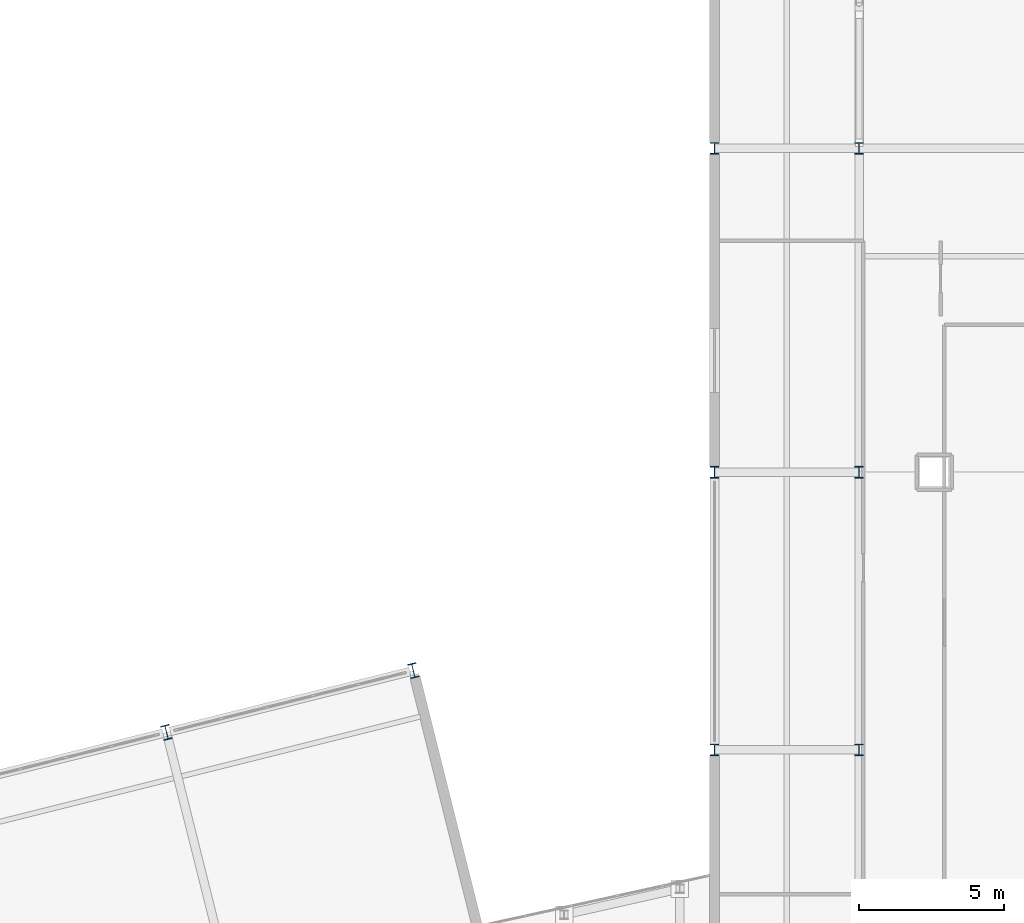
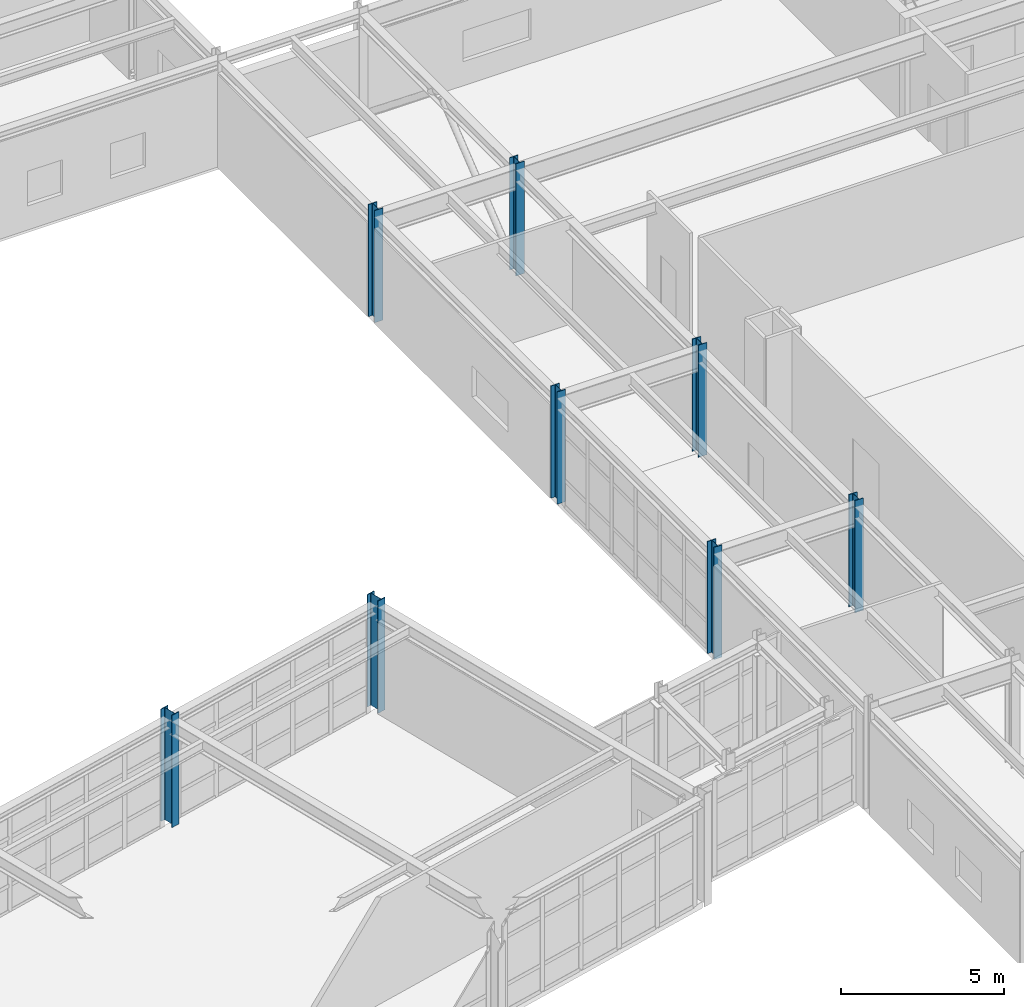
# One storey, part 8 of 88: 8 columns.
"""IFC4 building model written with IfcOpenShell, lengths in metres."""

import ifcopenshell
import ifcopenshell.guid

model = None  # the IFC model being written
_history = None  # IfcOwnerHistory: only IFC2X3 demands one
_inside = {}  # id of a spatial element -> (the spatial element, [elements in it])
_under = {}  # id of a project, library or spatial element -> (it, [spatial elements below it])
_declared = {}  # id of a project -> (the project, [libraries it declares])
_typed = {}  # id of a type object -> (the type object, [elements of that type])
_made_of = {}  # id of a material, layer set ... -> (it, [elements and type objects made of it])


def new_model(schema):
    """Start an empty IFC model of exactly this schema.

    Asked for "IFC4X3", IfcOpenShell would pick the latest addendum, in which some entities
    have other attributes; the version numbers below select the first issue.
    IFC2X3 requires an IfcOwnerHistory on every rooted entity: one is made here for all.
    """
    global model, _history
    if schema == "IFC4X3":
        model = ifcopenshell.file(schema_version=(4, 3, 0, 0))
    else:
        model = ifcopenshell.file(schema=schema)
    _inside.clear()
    _under.clear()
    _declared.clear()
    _typed.clear()
    _made_of.clear()
    _history = None
    if model.schema == "IFC2X3":
        org = make("IfcOrganization", Name="unknown")
        user = make(
            "IfcPersonAndOrganization",
            ThePerson=make("IfcPerson", FamilyName="unknown"),
            TheOrganization=org,
        )
        app = make(
            "IfcApplication",
            ApplicationDeveloper=org,
            Version="unknown",
            ApplicationFullName="unknown",
            ApplicationIdentifier="unknown",
        )
        _history = make(
            "IfcOwnerHistory",
            OwningUser=user,
            OwningApplication=app,
            ChangeAction="ADDED",
            CreationDate=0,
        )
    return model


def make(cls, **values):
    """One entity of the class cls with the attributes given. An attribute that is None is left unset."""
    return model.create_entity(
        cls, **{name: value for name, value in values.items() if value is not None}
    )


def rooted(cls, **values):
    """An entity with a GlobalId (a new one), such as an element, a storey or a relation."""
    return make(cls, GlobalId=ifcopenshell.guid.new(), OwnerHistory=_history, **values)


def si_unit(unit_type, name, prefix=None):
    """IfcSIUnit, for example si_unit("LENGTHUNIT", "METRE", prefix="MILLI")."""
    return make("IfcSIUnit", UnitType=unit_type, Prefix=prefix, Name=name)


def assignment(units):
    """IfcUnitAssignment: the units of a project."""
    return None if units is None else make("IfcUnitAssignment", Units=units)


def point(xyz):
    """IfcCartesianPoint."""
    return None if xyz is None else make("IfcCartesianPoint", Coordinates=xyz)


def direction(xyz):
    """IfcDirection."""
    return None if xyz is None else make("IfcDirection", DirectionRatios=xyz)


def frame(location, z_axis=None, x_axis=None):
    """IfcAxis2Placement3D, a coordinate frame: its origin and axes. An axis left out is left unset."""
    return make(
        "IfcAxis2Placement3D",
        Location=point(location),
        Axis=direction(z_axis),
        RefDirection=direction(x_axis),
    )


def frame_2d(location, x_axis=None):
    """IfcAxis2Placement2D, a coordinate frame in the plane: its origin and x axis."""
    return make(
        "IfcAxis2Placement2D", Location=point(location), RefDirection=direction(x_axis)
    )


def origin():
    """The frame at (0, 0, 0) with its axes left unset."""
    return frame((0.0, 0.0, 0.0))


def origin_2d():
    """The frame at (0, 0) in the plane with its x axis left unset."""
    return frame_2d((0.0, 0.0))


def place(relative_to, where):
    """IfcLocalPlacement: puts the frame where relative to a parent placement (None: the world)."""
    return make(
        "IfcLocalPlacement", PlacementRelTo=relative_to, RelativePlacement=where
    )


def context(
    kind, dimensions, precision=None, world=None, true_north=None, identifier=None
):
    """IfcGeometricRepresentationContext, for example the 3D "Model" context."""
    return make(
        "IfcGeometricRepresentationContext",
        ContextIdentifier=identifier,
        ContextType=kind,
        CoordinateSpaceDimension=dimensions,
        Precision=precision,
        WorldCoordinateSystem=world,
        TrueNorth=true_north,
    )


def subcontext(parent, identifier, kind, view, scale=None):
    """IfcGeometricRepresentationSubContext, for example "Body" below "Model"."""
    return make(
        "IfcGeometricRepresentationSubContext",
        ContextIdentifier=identifier,
        ContextType=kind,
        ParentContext=parent,
        TargetScale=scale,
        TargetView=view,
    )


def project(units=None, contexts=None):
    """IfcProject with its units and contexts."""
    return rooted(
        "IfcProject",
        Name="project",
        RepresentationContexts=contexts,
        UnitsInContext=assignment(units),
    )


def spatial(cls, under=None, at=None, **own):
    """A site, building, storey or space (cls), placed at a placement, below another one or the project."""
    s = rooted(cls, ObjectPlacement=at, **own)
    if under is not None:
        _under.setdefault(under.id(), (under, []))[1].append(s)
    return s


def profile(cls, at=None, kind="AREA", **sizes):
    """A parametric profile (cls). Its sizes go by their IFC names, for example OverallWidth=200.0."""
    return make(cls, ProfileType=kind, Position=at, **sizes)


def i_section(**sizes):
    """IfcIShapeProfileDef."""
    return profile("IfcIShapeProfileDef", **sizes)


def extrude(swept, where, along, depth):
    """IfcExtrudedAreaSolid: the profile swept, set in the frame where, extruded along a direction by depth."""
    return make(
        "IfcExtrudedAreaSolid",
        SweptArea=swept,
        Position=where,
        ExtrudedDirection=direction(along),
        Depth=depth,
    )


def shape(context_of_items, identifier, shape_type, items):
    """IfcShapeRepresentation: the items that make up one representation, for example the "Body"."""
    return make(
        "IfcShapeRepresentation",
        ContextOfItems=context_of_items,
        RepresentationIdentifier=identifier,
        RepresentationType=shape_type,
        Items=items,
    )


def material(Name=None, Category=None):
    """IfcMaterial."""
    return make("IfcMaterial", Name=Name, Category=Category)


def material_profile(
    of_material, cross_section, Name=None, Category=None, Priority=None
):
    """IfcMaterialProfile: a cross section and its material."""
    return make(
        "IfcMaterialProfile",
        Name=Name,
        Material=of_material,
        Profile=cross_section,
        Priority=Priority,
        Category=Category,
    )


def profile_set(profiles, Name=None, composite=None):
    """IfcMaterialProfileSet."""
    return make(
        "IfcMaterialProfileSet",
        Name=Name,
        MaterialProfiles=profiles,
        CompositeProfile=composite,
    )


def made_of(thing, what):
    """Note that an element or type object is made of a material, layer set ...; save() writes the relation."""
    if what is not None:
        _made_of.setdefault(what.id(), (what, []))[1].append(thing)
    return thing


def type_object(cls, material=None, **own):
    """A type object (cls), such as IfcWallType, which elements share."""
    return made_of(rooted(cls, **own), material)


def element(
    cls,
    number,
    at=None,
    inside=None,
    cuts=None,
    type_object=None,
    material=None,
    context=None,
    identifier="Body",
    shape_type=None,
    held_by="IfcProductDefinitionShape",
    body=None,
    shapes=None,
    **own,
):
    """One element of the class cls, such as IfcWall. Its Tag is "e" and its number.

    at: its placement. inside: the storey or other place that contains it. cuts: it is an
    opening in that element (IfcRelVoidsElement). A single representation is given by context,
    identifier, shape_type and body (its items); several are given by shapes. held_by: the class
    of the entity that holds the representations. save() writes the other relations.
    """
    e = rooted(cls, Tag="e%d" % number, ObjectPlacement=at, **own)
    if body is not None:
        shapes = [shape(context, identifier, shape_type, body)]
    if shapes is not None:
        e.Representation = make(held_by, Representations=shapes)
    if inside is not None:
        _inside.setdefault(inside.id(), (inside, []))[1].append(e)
    if cuts is not None:
        rooted(
            "IfcRelVoidsElement", RelatingBuildingElement=cuts, RelatedOpeningElement=e
        )
    if type_object is not None:
        _typed.setdefault(type_object.id(), (type_object, []))[1].append(e)
    return made_of(e, material)


def aggregate(whole, parts):
    """IfcRelAggregates: a whole, such as a stair, and the parts it consists of."""
    return rooted("IfcRelAggregates", RelatingObject=whole, RelatedObjects=parts)


def save(model, path):
    """Write the relations noted so far, then the file.

    IfcRelAggregates (storeys below a building ...), IfcRelContainedInSpatialStructure (elements
    in a storey), IfcRelDefinesByType, IfcRelAssociatesMaterial and IfcRelDeclares: one each for
    every whole, place, type object, material and project.
    """
    for whole, parts in _under.values():
        aggregate(whole, parts)
    for where, things in _inside.values():
        rooted(
            "IfcRelContainedInSpatialStructure",
            RelatedElements=things,
            RelatingStructure=where,
        )
    for kind, things in _typed.values():
        rooted("IfcRelDefinesByType", RelatedObjects=things, RelatingType=kind)
    for what, things in _made_of.values():
        rooted("IfcRelAssociatesMaterial", RelatedObjects=things, RelatingMaterial=what)
    for by, libraries in _declared.values():
        rooted("IfcRelDeclares", RelatingContext=by, RelatedDefinitions=libraries)
    model.write(path)


model = new_model("IFC4")

# Units and contexts
model_context = context("Model", 3, precision=1e-05, world=origin(), true_north=direction((0.0, 1.0)))
body_context = subcontext(model_context, "Body", "Model", "MODEL_VIEW")
ifc_project = project(units=[si_unit("LENGTHUNIT", "METRE"), si_unit("AREAUNIT", "SQUARE_METRE"), si_unit("VOLUMEUNIT", "CUBIC_METRE"), si_unit("PLANEANGLEUNIT", "RADIAN"), si_unit("MASSUNIT", "GRAM", prefix="KILO")], contexts=[model_context])

# Site, building, storey
site_placement = place(None, origin())
site = spatial("IfcSite", under=ifc_project, at=site_placement, CompositionType="ELEMENT")
building_placement = place(site_placement, origin())
building = spatial("IfcBuilding", under=site, at=building_placement, Name="Nordkorset Police Headquarters", CompositionType="ELEMENT")
storey_placement = place(building_placement, frame((0.0, 0.0, 9.449951171875)))
storey = spatial("IfcBuildingStorey", under=building, at=storey_placement, Name="L02", CompositionType="ELEMENT", Elevation=9.449951171875)

# Columns
ifc_material_1 = material(Name="Steel S355J2", Category="steel")
ifc_material_profile_1 = material_profile(ifc_material_1, i_section(OverallWidth=0.300048828125, OverallDepth=0.39990234375, WebThickness=0.013427734375, FlangeThickness=0.02392578125, FilletRadius=0.027099609375, at=origin_2d()), Name="HEB 400")
ifc_profile_set_1 = profile_set([ifc_material_profile_1], Name="Steel S355J2")
column_type_1 = type_object("IfcColumnType", Name="Col_HEB_400", PredefinedType="COLUMN", material=ifc_profile_set_1)
for number, where, z_axis, x_axis, name in (
    (1, (86.39990234375, 67.199951171875, 0.0), (0.0, 0.0, 1.0), (1.0, 0.0, 0.0), "Structural Column V5_X0_2 L02"),
    (2, (91.39990234375, 67.199951171875, 0.0), (0.0, 0.0, 1.0), (1.0, 0.0, 0.0), "Structural Column V5_X1_2 L02"),
    (3, (86.39990234375, 76.800048828125, 0.0), (0.0, 0.0, 1.0), (1.0, 0.0, 0.0), "Structural Column V5_X0_3 L02"),
    (4, (91.39990234375, 76.800048828125, 0.0), (0.0, 0.0, 1.0), (1.0, 0.0, 0.0), "Structural Column V5_X1_3 L02"),
    (5, (86.39990234375, 88.0, 0.0), (0.0, 0.0, 1.0), (1.0, 0.0, 0.0), "Structural Column V5_X0_4 L02"),
    (6, (91.39990234375, 88.0, 0.0), (0.0, 0.0, 1.0), (1.0, 0.0, 0.0), "Structural Column V5_X1_4 L02"),
):
    element("IfcColumn", number, at=place(storey_placement, frame(where, z_axis=z_axis, x_axis=x_axis)), inside=storey, type_object=column_type_1, Name=name, PredefinedType="COLUMN", context=body_context, shape_type="SweptSolid", body=[
        extrude(i_section(OverallWidth=0.300048828125, OverallDepth=0.39990234375, WebThickness=0.013427734375, FlangeThickness=0.02392578125, FilletRadius=0.027099609375, at=origin_2d()), origin(), (0.0, 0.0, 1.0), 4.199951171875),
    ])
ifc_material_2 = material(Name="Steel S355J2", Category="steel")
ifc_material_profile_2 = material_profile(ifc_material_2, i_section(OverallWidth=0.300048828125, OverallDepth=0.5, WebThickness=0.014404296875, FlangeThickness=0.028076171875, FilletRadius=0.027099609375, at=origin_2d()), Name="HEB 500")
ifc_profile_set_2 = profile_set([ifc_material_profile_2], Name="Steel S355J2")
column_type_2 = type_object("IfcColumnType", Name="Col_HEB_500", PredefinedType="COLUMN", material=ifc_profile_set_2)
for number, where, z_axis, x_axis, name in (
    (7, (67.450439453125, 67.805908203125, 0.0), (0.0, 0.0, 1.0), (0.970142500145, 0.242535625038, 0.0), "Structural Column V4_U5_V1 L02"),
    (8, (75.98779296875, 69.940185546875, 0.0), (0.0, 0.0, 1.0), (0.970142500145, 0.242535625038, 0.0), "Structural Column V4_U6_V1 L02"),
):
    element("IfcColumn", number, at=place(storey_placement, frame(where, z_axis=z_axis, x_axis=x_axis)), inside=storey, type_object=column_type_2, Name=name, PredefinedType="COLUMN", context=body_context, shape_type="SweptSolid", body=[
        extrude(i_section(OverallWidth=0.300048828125, OverallDepth=0.5, WebThickness=0.014404296875, FlangeThickness=0.028076171875, FilletRadius=0.027099609375, at=origin_2d()), origin(), (0.0, 0.0, 1.0), 4.199951171875),
    ])

save(model, "model.ifc")
